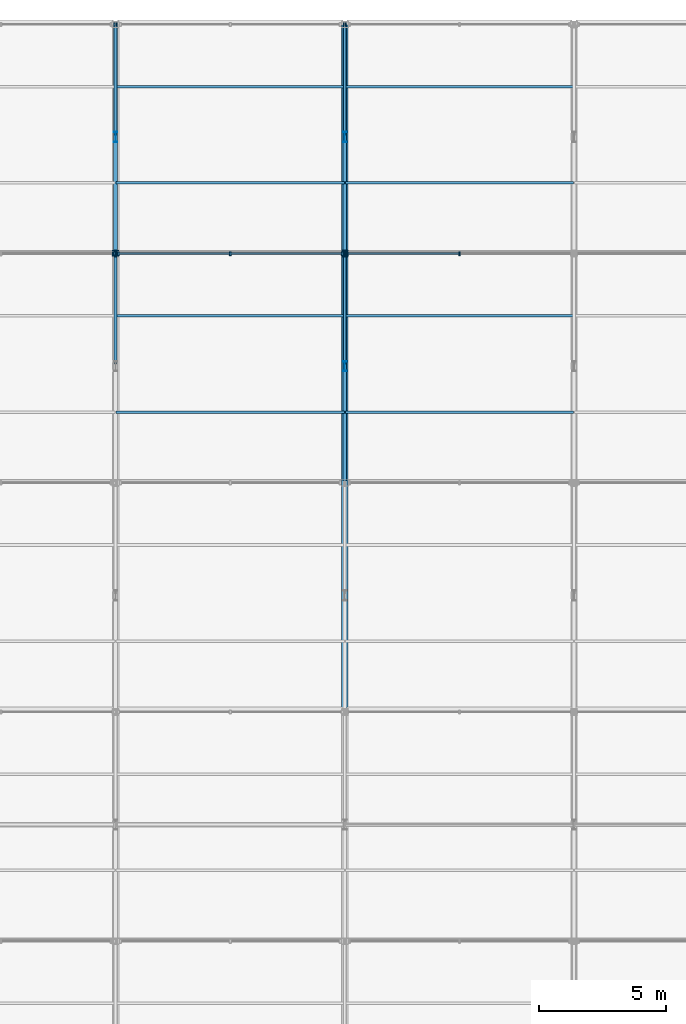
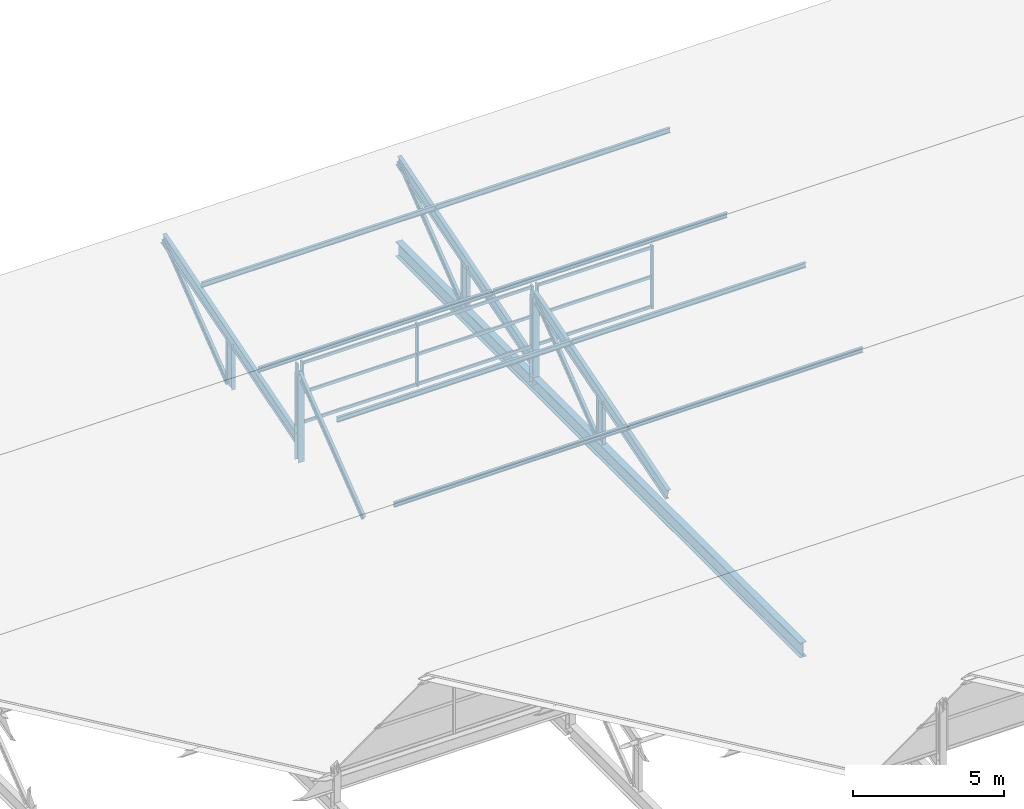
# One storey, part 99 of 163: 35 members, 1 beam, 3 elements without a shape of their own.
"""IFC4 building model written with IfcOpenShell, lengths in metres."""

from ifc_helpers import new_model, si_unit, direction, frame, origin, origin_2d, place, context, subcontext, project, spatial, rectangle, i_section, extrude, material, material_profile, profile_set, type_object, element, aggregate, save


model = new_model("IFC4")

# Units and contexts
model_context = context("Model", 3, precision=1e-05, world=origin(), true_north=direction((0.0, 1.0)))
body_context = subcontext(model_context, "Body", "Model", "MODEL_VIEW")
ifc_project = project(units=[si_unit("LENGTHUNIT", "METRE"), si_unit("AREAUNIT", "SQUARE_METRE"), si_unit("VOLUMEUNIT", "CUBIC_METRE"), si_unit("PLANEANGLEUNIT", "RADIAN"), si_unit("MASSUNIT", "GRAM", prefix="KILO")], contexts=[model_context])

# Site, building, storey
site_placement = place(None, origin())
site = spatial("IfcSite", under=ifc_project, at=site_placement, CompositionType="ELEMENT")
building_placement = place(site_placement, origin())
building = spatial("IfcBuilding", under=site, at=building_placement, Name="Tharagai Park Tramway Depot", CompositionType="ELEMENT")
storey_placement = place(building_placement, frame((0.0, 0.0, 8.39990234375)))
storey = spatial("IfcBuildingStorey", under=building, at=storey_placement, Name="L02", CompositionType="ELEMENT", Elevation=8.39990234375)

# Beam
ifc_material_1 = material(Name="Steel E350", Category="steel")
ifc_material_profile_1 = material_profile(ifc_material_1, i_section(OverallWidth=0.25, OverallDepth=0.60009765625, WebThickness=0.01171875, FlangeThickness=0.023681640625, FilletRadius=0.01708984375, at=origin_2d()), Name="ISWB 600")
ifc_profile_set_1 = profile_set([ifc_material_profile_1], Name="Steel E350")
beam_type = type_object("IfcBeamType", Name="BM-01", PredefinedType="BEAM", material=ifc_profile_set_1)
beam_placement = place(storey_placement, frame((90.0, 117.080078125, -0.25), z_axis=(0.0, 1.0, 0.0), x_axis=(-1.0, 0.0, 0.0)))
element("IfcBeam", 1, at=beam_placement, inside=storey, type_object=beam_type, Name="Sawtooth Truss Bottom Tie Girder BM-01", PredefinedType="BEAM", context=body_context, shape_type="SweptSolid", body=[
    extrude(i_section(OverallWidth=0.25, OverallDepth=0.60009765625, WebThickness=0.01171875, FlangeThickness=0.023681640625, FilletRadius=0.01708984375, at=origin_2d()), origin(), (0.0, 0.0, 1.0), 26.83984375),
])

# Members
ifc_material_profile_2 = material_profile(ifc_material_1, i_section(OverallWidth=0.25, OverallDepth=0.25, WebThickness=0.0087890625, FlangeThickness=0.009765625, FilletRadius=0.010009765625, at=origin_2d()), Name="ISHB 250")
ifc_profile_set_2 = profile_set([ifc_material_profile_2], Name="Steel E350")
member_type_1 = type_object("IfcMemberType", Name="BR-01", PredefinedType="BRACE", material=ifc_profile_set_2)
for number, where, z_axis, x_axis, name in (
    (2, (81.0, 134.919921875, -0.25), (0.0, 0.0, 1.0), (1.0, 0.0, 0.0), "Sawtooth North Vertical Post BR-01"),
    (3, (90.0, 134.919921875, -0.25), (0.0, 0.0, 1.0), (1.0, 0.0, 0.0), "Sawtooth North Vertical Post BR-01"),
):
    element("IfcMember", number, at=place(storey_placement, frame(where, z_axis=z_axis, x_axis=x_axis)), inside=storey, type_object=member_type_1, Name=name, PredefinedType="BRACE", context=body_context, shape_type="SweptSolid", body=[
        extrude(i_section(OverallWidth=0.25, OverallDepth=0.25, WebThickness=0.0087890625, FlangeThickness=0.009765625, FilletRadius=0.010009765625, at=origin_2d()), origin(), (0.0, 0.0, 1.0), 3.55517578125),
    ])
ifc_material_profile_3 = material_profile(ifc_material_1, i_section(OverallWidth=0.110107421875, OverallDepth=0.22509765625, WebThickness=0.006591796875, FlangeThickness=0.01171875, FilletRadius=0.011962890625, at=origin_2d()), Name="ISMB 225")
ifc_profile_set_3 = profile_set([ifc_material_profile_3], Name="Steel E350")
member_type_2 = type_object("IfcMemberType", Name="BR-04", PredefinedType="BRACE", material=ifc_profile_set_3)
for number, where, z_axis, x_axis, name in (
    (4, (81.0, 130.64990234375, 0.0), (0.0, 0.790781596, 0.612098413188), (-1.0, 0.0, 0.0), "Sawtooth Truss Web Diagonal BR-04"),
    (5, (81.0, 139.64990234375, 0.0), (0.0, 0.790781596, 0.612098413188), (-1.0, 0.0, 0.0), "Sawtooth Truss Web Diagonal BR-04"),
    (6, (90.0, 130.64990234375, 0.0), (0.0, 0.790781596, 0.612098413188), (-1.0, 0.0, 0.0), "Sawtooth Truss Web Diagonal BR-04"),
    (7, (90.0, 139.64990234375, 0.0), (0.0, 0.790781596, 0.612098413188), (-1.0, 0.0, 0.0), "Sawtooth Truss Web Diagonal BR-04"),
):
    element("IfcMember", number, at=place(storey_placement, frame(where, z_axis=z_axis, x_axis=x_axis)), inside=storey, type_object=member_type_2, Name=name, PredefinedType="BRACE", context=body_context, shape_type="SweptSolid", body=[
        extrude(i_section(OverallWidth=0.110107421875, OverallDepth=0.22509765625, WebThickness=0.006591796875, FlangeThickness=0.01171875, FilletRadius=0.011962890625, at=origin_2d()), origin(), (0.0, 0.0, 1.0), 5.399658203125),
    ])

# Curtain wall, members
ifc_material_2 = material(Name="Anodised aluminium", Category="aluminium")
curtain_wall_type = type_object("IfcCurtainWallType", Name="CW-04", PredefinedType="NOTDEFINED", material=ifc_material_2)
curtain_wall_1_placement = place(storey_placement, origin())
curtain_wall_1 = element("IfcCurtainWall", 8, at=curtain_wall_1_placement, inside=storey, type_object=curtain_wall_type, Name="Sawtooth North-Light Clerestory CW-04", PredefinedType="NOTDEFINED")
ifc_material_profile_4 = material_profile(ifc_material_2, rectangle(XDim=0.06494140625, YDim=0.1201171875, at=origin_2d()), Name="ALU 65x120")
ifc_profile_set_4 = profile_set([ifc_material_profile_4], Name="Anodised aluminium")
member_type_3 = type_object("IfcMemberType", Name="CM-01", PredefinedType="USERDEFINED", material=ifc_profile_set_4)
member_1_placement = place(storey_placement, frame((81.114990234375, 134.919921875, 1.26513671875), z_axis=(1.0, 0.0, 0.0), x_axis=(0.0, 1.0, 0.0)))
member_1 = element("IfcMember", 9, at=member_1_placement, type_object=member_type_3, Name="Sawtooth North-Light Clerestory Transom 1.1", ObjectType="TRANSOM", PredefinedType="USERDEFINED", context=body_context, shape_type="SweptSolid", body=[
    extrude(rectangle(XDim=0.06494140625, YDim=0.1201171875, at=origin_2d()), origin(), (0.0, 0.0, 1.0), 4.3701171875),
])
member_2_placement = place(storey_placement, frame((81.114990234375, 134.919921875, 2.4736328125), z_axis=(1.0, 0.0, 0.0), x_axis=(0.0, 1.0, 0.0)))
member_2 = element("IfcMember", 10, at=member_2_placement, type_object=member_type_3, Name="Sawtooth North-Light Clerestory Transom 1.2", ObjectType="TRANSOM", PredefinedType="USERDEFINED", context=body_context, shape_type="SweptSolid", body=[
    extrude(rectangle(XDim=0.06494140625, YDim=0.1201171875, at=origin_2d()), origin(), (0.0, 0.0, 1.0), 4.3701171875),
])
member_3_placement = place(storey_placement, frame((81.114990234375, 134.919921875, 3.662353515625), z_axis=(1.0, 0.0, 0.0), x_axis=(0.0, 1.0, 0.0)))
member_3 = element("IfcMember", 11, at=member_3_placement, type_object=member_type_3, Name="Sawtooth North-Light Clerestory Transom 1.3", ObjectType="TRANSOM", PredefinedType="USERDEFINED", context=body_context, shape_type="SweptSolid", body=[
    extrude(rectangle(XDim=0.06494140625, YDim=0.1201171875, at=origin_2d()), origin(), (0.0, 0.0, 1.0), 4.3701171875),
])
member_4_placement = place(storey_placement, frame((85.514892578125, 134.919921875, 1.26513671875), z_axis=(1.0, 0.0, 0.0), x_axis=(0.0, 1.0, 0.0)))
member_4 = element("IfcMember", 12, at=member_4_placement, type_object=member_type_3, Name="Sawtooth North-Light Clerestory Transom 2.1", ObjectType="TRANSOM", PredefinedType="USERDEFINED", context=body_context, shape_type="SweptSolid", body=[
    extrude(rectangle(XDim=0.06494140625, YDim=0.1201171875, at=origin_2d()), origin(), (0.0, 0.0, 1.0), 4.3701171875),
])
member_5_placement = place(storey_placement, frame((85.514892578125, 134.919921875, 2.4736328125), z_axis=(1.0, 0.0, 0.0), x_axis=(0.0, 1.0, 0.0)))
member_5 = element("IfcMember", 13, at=member_5_placement, type_object=member_type_3, Name="Sawtooth North-Light Clerestory Transom 2.2", ObjectType="TRANSOM", PredefinedType="USERDEFINED", context=body_context, shape_type="SweptSolid", body=[
    extrude(rectangle(XDim=0.06494140625, YDim=0.1201171875, at=origin_2d()), origin(), (0.0, 0.0, 1.0), 4.3701171875),
])
member_6_placement = place(storey_placement, frame((85.514892578125, 134.919921875, 3.662353515625), z_axis=(1.0, 0.0, 0.0), x_axis=(0.0, 1.0, 0.0)))
member_6 = element("IfcMember", 14, at=member_6_placement, type_object=member_type_3, Name="Sawtooth North-Light Clerestory Transom 2.3", ObjectType="TRANSOM", PredefinedType="USERDEFINED", context=body_context, shape_type="SweptSolid", body=[
    extrude(rectangle(XDim=0.06494140625, YDim=0.1201171875, at=origin_2d()), origin(), (0.0, 0.0, 1.0), 4.3701171875),
])

curtain_wall_2_placement = place(storey_placement, origin())
curtain_wall_2 = element("IfcCurtainWall", 15, at=curtain_wall_2_placement, inside=storey, type_object=curtain_wall_type, Name="Sawtooth North-Light Clerestory CW-04", PredefinedType="NOTDEFINED")
member_7_placement = place(storey_placement, frame((90.114990234375, 134.919921875, 1.26513671875), z_axis=(1.0, 0.0, 0.0), x_axis=(0.0, 1.0, 0.0)))
member_7 = element("IfcMember", 16, at=member_7_placement, type_object=member_type_3, Name="Sawtooth North-Light Clerestory Transom 1.1", ObjectType="TRANSOM", PredefinedType="USERDEFINED", context=body_context, shape_type="SweptSolid", body=[
    extrude(rectangle(XDim=0.06494140625, YDim=0.1201171875, at=origin_2d()), origin(), (0.0, 0.0, 1.0), 4.3701171875),
])
member_8_placement = place(storey_placement, frame((90.114990234375, 134.919921875, 2.4736328125), z_axis=(1.0, 0.0, 0.0), x_axis=(0.0, 1.0, 0.0)))
member_8 = element("IfcMember", 17, at=member_8_placement, type_object=member_type_3, Name="Sawtooth North-Light Clerestory Transom 1.2", ObjectType="TRANSOM", PredefinedType="USERDEFINED", context=body_context, shape_type="SweptSolid", body=[
    extrude(rectangle(XDim=0.06494140625, YDim=0.1201171875, at=origin_2d()), origin(), (0.0, 0.0, 1.0), 4.3701171875),
])
member_9_placement = place(storey_placement, frame((90.114990234375, 134.919921875, 3.662353515625), z_axis=(1.0, 0.0, 0.0), x_axis=(0.0, 1.0, 0.0)))
member_9 = element("IfcMember", 18, at=member_9_placement, type_object=member_type_3, Name="Sawtooth North-Light Clerestory Transom 1.3", ObjectType="TRANSOM", PredefinedType="USERDEFINED", context=body_context, shape_type="SweptSolid", body=[
    extrude(rectangle(XDim=0.06494140625, YDim=0.1201171875, at=origin_2d()), origin(), (0.0, 0.0, 1.0), 4.3701171875),
])

# Curtain wall, member
curtain_wall_3_placement = place(storey_placement, origin())
curtain_wall_3 = element("IfcCurtainWall", 19, at=curtain_wall_3_placement, inside=storey, type_object=curtain_wall_type, Name="Sawtooth North-Light Clerestory CW-04", PredefinedType="NOTDEFINED")
ifc_material_profile_5 = material_profile(ifc_material_2, rectangle(XDim=0.06494140625, YDim=0.14990234375, at=origin_2d()), Name="ALU 65x150")
ifc_profile_set_5 = profile_set([ifc_material_profile_5], Name="Anodised aluminium")
member_type_4 = type_object("IfcMemberType", Name="CM-03", PredefinedType="MULLION", material=ifc_profile_set_5)
member_10_placement = place(storey_placement, frame((80.89990234375, 134.919921875, 1.2001953125), z_axis=(0.0, 0.0, 1.0), x_axis=(1.0, 0.0, 0.0)))
member_10 = element("IfcMember", 20, at=member_10_placement, type_object=member_type_4, Name="Sawtooth North-Light Clerestory Mullion 3", PredefinedType="MULLION", context=body_context, shape_type="SweptSolid", body=[
    extrude(rectangle(XDim=0.06494140625, YDim=0.14990234375, at=origin_2d()), origin(), (0.0, 0.0, 1.0), 2.547119140625),
])
aggregate(curtain_wall_3, [member_10])

# Member
member_11_placement = place(storey_placement, frame((81.10009765625, 134.919921875, 1.2001953125), z_axis=(0.0, 0.0, 1.0), x_axis=(1.0, 0.0, 0.0)))
member_11 = element("IfcMember", 21, at=member_11_placement, type_object=member_type_4, Name="Sawtooth North-Light Clerestory Mullion 1", PredefinedType="MULLION", context=body_context, shape_type="SweptSolid", body=[
    extrude(rectangle(XDim=0.06494140625, YDim=0.14990234375, at=origin_2d()), origin(), (0.0, 0.0, 1.0), 2.547119140625),
])

member_12_placement = place(storey_placement, frame((85.5, 134.919921875, 1.2001953125), z_axis=(0.0, 0.0, 1.0), x_axis=(1.0, 0.0, 0.0)))
member_12 = element("IfcMember", 22, at=member_12_placement, type_object=member_type_4, Name="Sawtooth North-Light Clerestory Mullion 2", PredefinedType="MULLION", context=body_context, shape_type="SweptSolid", body=[
    extrude(rectangle(XDim=0.06494140625, YDim=0.14990234375, at=origin_2d()), origin(), (0.0, 0.0, 1.0), 2.547119140625),
])

member_13_placement = place(storey_placement, frame((89.89990234375, 134.919921875, 1.2001953125), z_axis=(0.0, 0.0, 1.0), x_axis=(1.0, 0.0, 0.0)))
member_13 = element("IfcMember", 23, at=member_13_placement, type_object=member_type_4, Name="Sawtooth North-Light Clerestory Mullion 3", PredefinedType="MULLION", context=body_context, shape_type="SweptSolid", body=[
    extrude(rectangle(XDim=0.06494140625, YDim=0.14990234375, at=origin_2d()), origin(), (0.0, 0.0, 1.0), 2.547119140625),
])

aggregate(curtain_wall_1, [member_11, member_12, member_13, member_1, member_2, member_3, member_4, member_5, member_6])

member_14_placement = place(storey_placement, frame((90.10009765625, 134.919921875, 1.2001953125), z_axis=(0.0, 0.0, 1.0), x_axis=(1.0, 0.0, 0.0)))
member_14 = element("IfcMember", 24, at=member_14_placement, type_object=member_type_4, Name="Sawtooth North-Light Clerestory Mullion 1", PredefinedType="MULLION", context=body_context, shape_type="SweptSolid", body=[
    extrude(rectangle(XDim=0.06494140625, YDim=0.14990234375, at=origin_2d()), origin(), (0.0, 0.0, 1.0), 2.547119140625),
])

member_15_placement = place(storey_placement, frame((94.5, 134.919921875, 1.2001953125), z_axis=(0.0, 0.0, 1.0), x_axis=(1.0, 0.0, 0.0)))
member_15 = element("IfcMember", 25, at=member_15_placement, type_object=member_type_4, Name="Sawtooth North-Light Clerestory Mullion 2", PredefinedType="MULLION", context=body_context, shape_type="SweptSolid", body=[
    extrude(rectangle(XDim=0.06494140625, YDim=0.14990234375, at=origin_2d()), origin(), (0.0, 0.0, 1.0), 2.547119140625),
])

aggregate(curtain_wall_2, [member_14, member_15, member_7, member_8, member_9])

# Members
ifc_material_3 = material(Name="Steel E250", Category="steel")
ifc_material_profile_6 = material_profile(ifc_material_3, i_section(OverallWidth=0.10009765625, OverallDepth=0.199951171875, WebThickness=0.00537109375, FlangeThickness=0.00732421875, FilletRadius=0.009033203125, at=origin_2d()), Name="ISLB 200")
ifc_profile_set_6 = profile_set([ifc_material_profile_6], Name="Steel E250")
member_type_5 = type_object("IfcMemberType", Name="PR-03", PredefinedType="PURLIN", material=ifc_profile_set_6)
for number, where, z_axis, x_axis, name in (
    (26, (81.02001953125, 137.699951171875, 1.733154296875), (1.0, 0.0, 0.0), (0.0, 1.0, 0.0), "Sawtooth Roof Purlin PR-03"),
    (27, (81.02001953125, 141.47998046875, 2.87451171875), (1.0, 0.0, 0.0), (0.0, 1.0, 0.0), "Sawtooth Roof Purlin PR-03"),
    (28, (90.02001953125, 137.699951171875, 1.733154296875), (1.0, 0.0, 0.0), (0.0, 1.0, 0.0), "Sawtooth Roof Purlin PR-03"),
    (29, (90.02001953125, 141.47998046875, 2.87451171875), (1.0, 0.0, 0.0), (0.0, 1.0, 0.0), "Sawtooth Roof Purlin PR-03"),
):
    element("IfcMember", number, at=place(storey_placement, frame(where, z_axis=z_axis, x_axis=x_axis)), inside=storey, type_object=member_type_5, Name=name, PredefinedType="PURLIN", context=body_context, shape_type="SweptSolid", body=[
        extrude(i_section(OverallWidth=0.10009765625, OverallDepth=0.199951171875, WebThickness=0.00537109375, FlangeThickness=0.00732421875, FilletRadius=0.009033203125, at=origin_2d()), origin(), (0.0, 0.0, 1.0), 8.9599609375),
    ])
ifc_material_profile_7 = material_profile(ifc_material_3, i_section(OverallWidth=0.10009765625, OverallDepth=0.199951171875, WebThickness=0.005615234375, FlangeThickness=0.0107421875, FilletRadius=0.010986328125, at=origin_2d()), Name="ISMB 200")
ifc_profile_set_7 = profile_set([ifc_material_profile_7], Name="Steel E250")
member_type_6 = type_object("IfcMemberType", Name="PR-04", PredefinedType="PURLIN", material=ifc_profile_set_7)
for number, where, z_axis, x_axis, name in (
    (30, (81.02001953125, 128.699951171875, 1.733154296875), (1.0, 0.0, 0.0), (0.0, 1.0, 0.0), "Sawtooth Roof Purlin PR-04"),
    (31, (81.02001953125, 132.47998046875, 2.87451171875), (1.0, 0.0, 0.0), (0.0, 1.0, 0.0), "Sawtooth Roof Purlin PR-04"),
    (32, (90.02001953125, 128.699951171875, 1.733154296875), (1.0, 0.0, 0.0), (0.0, 1.0, 0.0), "Sawtooth Roof Purlin PR-04"),
    (33, (90.02001953125, 132.47998046875, 2.87451171875), (1.0, 0.0, 0.0), (0.0, 1.0, 0.0), "Sawtooth Roof Purlin PR-04"),
):
    element("IfcMember", number, at=place(storey_placement, frame(where, z_axis=z_axis, x_axis=x_axis)), inside=storey, type_object=member_type_6, Name=name, PredefinedType="PURLIN", context=body_context, shape_type="SweptSolid", body=[
        extrude(i_section(OverallWidth=0.10009765625, OverallDepth=0.199951171875, WebThickness=0.005615234375, FlangeThickness=0.0107421875, FilletRadius=0.010986328125, at=origin_2d()), origin(), (0.0, 0.0, 1.0), 8.9599609375),
    ])
ifc_material_profile_8 = material_profile(ifc_material_1, i_section(OverallWidth=0.14990234375, OverallDepth=0.449951171875, WebThickness=0.009521484375, FlangeThickness=0.017333984375, FilletRadius=0.014892578125, at=origin_2d()), Name="ISMB 450")
ifc_profile_set_8 = profile_set([ifc_material_profile_8], Name="Steel E350")
member_type_7 = type_object("IfcMemberType", Name="TC-05", PredefinedType="CHORD", material=ifc_profile_set_8)
for number, where, z_axis, x_axis, name in (
    (34, (81.0, 135.06005859375, 0.587890625), (0.0, 0.956231486327, 0.29261125159), (-1.0, 0.0, 0.0), "Sawtooth Top Chord TC-05"),
    (35, (90.0, 126.06005859375, 0.587890625), (0.0, 0.956231486327, 0.29261125159), (-1.0, 0.0, 0.0), "Sawtooth Top Chord TC-05"),
    (36, (90.0, 135.06005859375, 0.587890625), (0.0, 0.956231486327, 0.29261125159), (-1.0, 0.0, 0.0), "Sawtooth Top Chord TC-05"),
):
    element("IfcMember", number, at=place(storey_placement, frame(where, z_axis=z_axis, x_axis=x_axis)), inside=storey, type_object=member_type_7, Name=name, PredefinedType="CHORD", context=body_context, shape_type="SweptSolid", body=[
        extrude(i_section(OverallWidth=0.14990234375, OverallDepth=0.449951171875, WebThickness=0.009521484375, FlangeThickness=0.017333984375, FilletRadius=0.014892578125, at=origin_2d()), origin(), (0.0, 0.0, 1.0), 9.286376953125),
    ])
ifc_material_profile_9 = material_profile(ifc_material_1, i_section(OverallWidth=0.139892578125, OverallDepth=0.39990234375, WebThickness=0.0087890625, FlangeThickness=0.01611328125, FilletRadius=0.013916015625, at=origin_2d()), Name="ISMB 400")
ifc_profile_set_9 = profile_set([ifc_material_profile_9], Name="Steel E350")
member_type_8 = type_object("IfcMemberType", Name="TC-06", PredefinedType="CHORD", material=ifc_profile_set_9)
for number, where, z_axis, x_axis, name in (
    (37, (81.0, 139.5, -0.0498046875), (0.0, 0.0, 1.0), (1.0, 0.0, 0.0), "Sawtooth Mid-Tooth Strut TC-06"),
    (38, (90.0, 130.5, -0.0498046875), (0.0, 0.0, 1.0), (1.0, 0.0, 0.0), "Sawtooth Mid-Tooth Strut TC-06"),
    (39, (90.0, 139.5, -0.0498046875), (0.0, 0.0, 1.0), (1.0, 0.0, 0.0), "Sawtooth Mid-Tooth Strut TC-06"),
):
    element("IfcMember", number, at=place(storey_placement, frame(where, z_axis=z_axis, x_axis=x_axis)), inside=storey, type_object=member_type_8, Name=name, PredefinedType="CHORD", context=body_context, shape_type="SweptSolid", body=[
        extrude(i_section(OverallWidth=0.139892578125, OverallDepth=0.39990234375, WebThickness=0.0087890625, FlangeThickness=0.01611328125, FilletRadius=0.013916015625, at=origin_2d()), origin(), (0.0, 0.0, 1.0), 1.846435546875),
    ])

save(model, "model.ifc")
